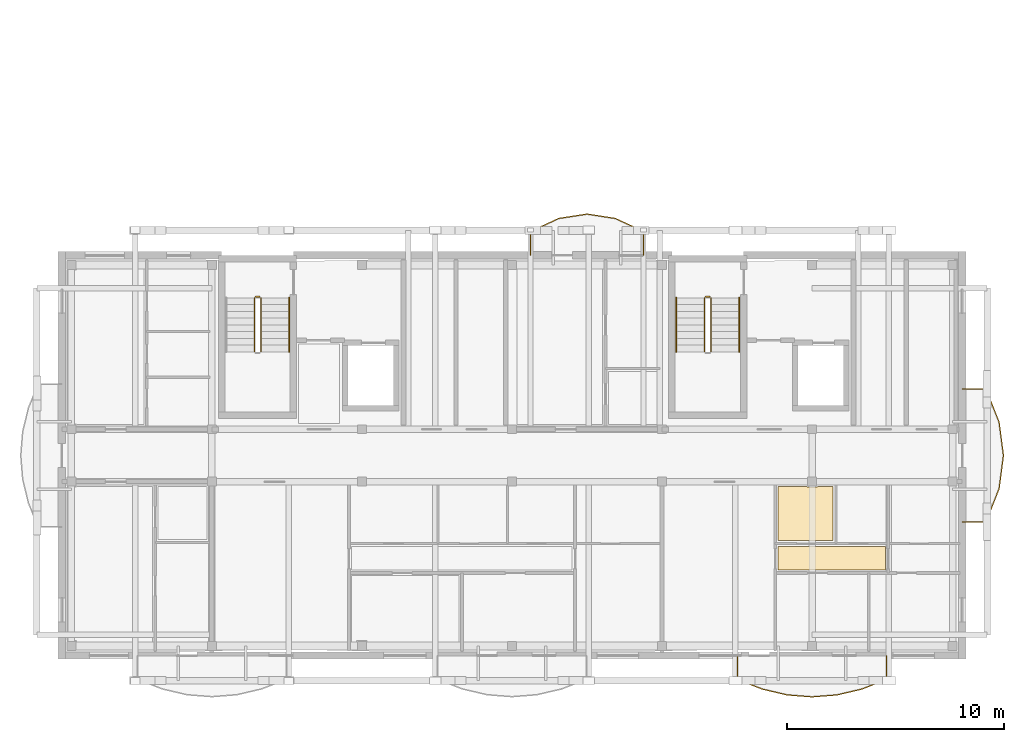
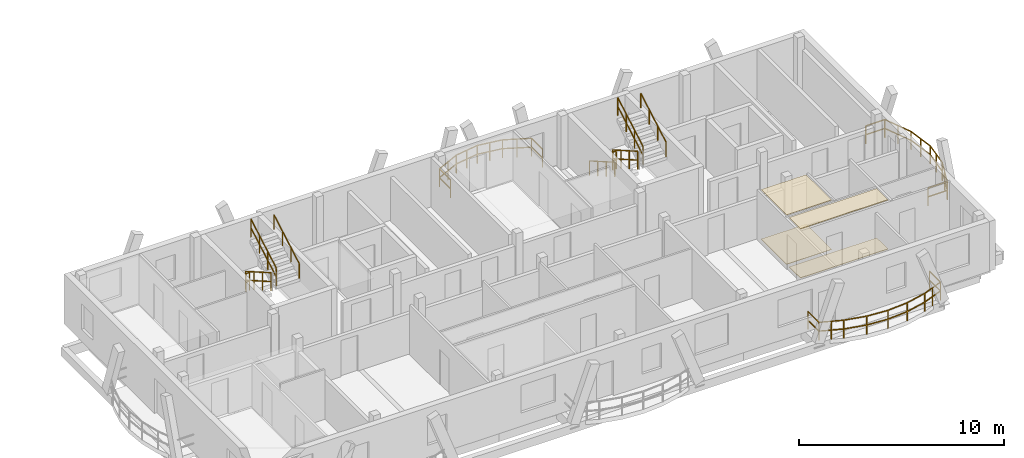
# One storey, part 9 of 10: 12 railings, 4 coverings.
"""IFC4 building model written with IfcOpenShell, lengths in metres."""

from ifc_helpers import new_model, si_unit, direction, frame, origin, origin_2d, place, context, subcontext, project, spatial, polyline, rectangle, outline, extrude, material, layer, layer_set, type_object, element, save


model = new_model("IFC4")

# Units and contexts
model_context = context("Model", 3, precision=1e-05, world=origin(), true_north=direction((0.0, 1.0)))
body_context = subcontext(model_context, "Body", "Model", "MODEL_VIEW")
ifc_project = project(units=[si_unit("LENGTHUNIT", "METRE"), si_unit("AREAUNIT", "SQUARE_METRE"), si_unit("VOLUMEUNIT", "CUBIC_METRE"), si_unit("PLANEANGLEUNIT", "RADIAN"), si_unit("MASSUNIT", "GRAM", prefix="KILO")], contexts=[model_context])

# Site, building, storey
site_placement = place(None, origin())
site = spatial("IfcSite", under=ifc_project, at=site_placement, CompositionType="ELEMENT")
building_placement = place(site_placement, origin())
building = spatial("IfcBuilding", under=site, at=building_placement, Name="Zavelmont Quarter", CompositionType="ELEMENT")
storey_placement = place(building_placement, frame((0.0, 0.0, 43.199951171875)))
storey = spatial("IfcBuildingStorey", under=building, at=storey_placement, Name="L13", CompositionType="ELEMENT", Elevation=43.199951171875)

# Coverings
ifc_material_1 = material(Name="Perforated acoustic gypsum board")
ifc_layer_1 = layer(ifc_material_1, 0.02490234375)
ifc_layer_set_1 = layer_set([ifc_layer_1], Name="Perforated acoustic gypsum board")
covering_type_1 = type_object("IfcCoveringType", Name="CV-CL01", PredefinedType="CEILING", material=ifc_layer_set_1)
covering_1_placement = place(storey_placement, frame((0.0, 0.0, 2.945068359375)))
element("IfcCovering", 1, at=covering_1_placement, inside=storey, type_object=covering_type_1, Name="L13 Kitchen acoustic ceiling", PredefinedType="CEILING", context=body_context, shape_type="SweptSolid", body=[
    extrude(outline(polyline([(32.929931640625, 7.77001953125), (34.260009765625, 7.77001953125), (34.260009765625, 7.760009765625), (34.739990234375, 7.760009765625), (34.739990234375, 7.77001953125), (35.469970703125, 7.77001953125), (35.469970703125, 5.280029296875), (32.929931640625, 5.280029296875), (32.929931640625, 7.77001953125)])), origin(), (0.0, 0.0, 1.0), 0.02490234375),
])
ifc_material_2 = material(Name="Slatted European ash acoustic baffle ceiling")
ifc_layer_2 = layer(ifc_material_2, 0.0400390625)
ifc_layer_set_2 = layer_set([ifc_layer_2], Name="Slatted European ash acoustic baffle ceiling")
covering_type_2 = type_object("IfcCoveringType", Name="CV-CL02", PredefinedType="CEILING", material=ifc_layer_set_2)
covering_2_placement = place(storey_placement, frame((0.0, 0.0, 2.929931640625)))
element("IfcCovering", 2, at=covering_2_placement, inside=storey, type_object=covering_type_2, Name="L13 Apartment Hall acoustic ceiling", PredefinedType="CEILING", context=body_context, shape_type="SweptSolid", body=[
    extrude(outline(polyline([(32.929931640625, 5.02001953125), (37.8701171875, 5.02001953125), (37.8701171875, 3.929931640625), (32.929931640625, 3.929931640625), (32.929931640625, 5.02001953125)])), origin(), (0.0, 0.0, 1.0), 0.0400390625),
])
ifc_material_3 = material(Name="Engineered European oak parquet")
ifc_layer_3 = layer(ifc_material_3, 0.02197265625)
ifc_layer_set_3 = layer_set([ifc_layer_3], Name="Engineered European oak parquet")
covering_type_3 = type_object("IfcCoveringType", Name="CV-FL01", PredefinedType="FLOORING", material=ifc_layer_set_3)
covering_3_placement = place(storey_placement, origin())
element("IfcCovering", 3, at=covering_3_placement, inside=storey, type_object=covering_type_3, Name="L13 Kitchen floor finish", PredefinedType="FLOORING", context=body_context, shape_type="SweptSolid", body=[
    extrude(outline(polyline([(32.929931640625, 7.77001953125), (34.260009765625, 7.77001953125), (34.260009765625, 7.760009765625), (34.739990234375, 7.760009765625), (34.739990234375, 7.77001953125), (35.469970703125, 7.77001953125), (35.469970703125, 5.280029296875), (32.929931640625, 5.280029296875), (32.929931640625, 7.77001953125)])), origin(), (0.0, 0.0, 1.0), 0.02197265625),
])
ifc_material_4 = material(Name="Honed Belgian bluestone tile", Category="masonry")
ifc_layer_4 = layer(ifc_material_4, 0.030029296875)
ifc_layer_set_4 = layer_set([ifc_layer_4], Name="Honed Belgian bluestone tile")
covering_type_4 = type_object("IfcCoveringType", Name="CV-FL02", PredefinedType="FLOORING", material=ifc_layer_set_4)
covering_4_placement = place(storey_placement, origin())
element("IfcCovering", 4, at=covering_4_placement, inside=storey, type_object=covering_type_4, Name="L13 Apartment Hall floor finish", PredefinedType="FLOORING", context=body_context, shape_type="SweptSolid", body=[
    extrude(outline(polyline([(32.929931640625, 5.02001953125), (37.8701171875, 5.02001953125), (37.8701171875, 3.929931640625), (32.929931640625, 3.929931640625), (32.929931640625, 5.02001953125)])), origin(), (0.0, 0.0, 1.0), 0.030029296875),
])

# Railings
ifc_material_5 = material(Name="Powder-coated steel and tempered double safety glass", Category="steel")
railing_type_1 = type_object("IfcRailingType", Name="RL-BAL1", PredefinedType="BALUSTRADE", material=ifc_material_5)
railing_1_placement = place(storey_placement, frame((31.071044921875, -0.02001953125, 0.0)))
element("IfcRailing", 5, at=railing_1_placement, inside=storey, type_object=railing_type_1, Name="L13 Block A curved balcony guard RL-BAL1", PredefinedType="BALUSTRADE", context=body_context, shape_type="SweptSolid", body=[
    extrude(rectangle(XDim=0.048095703125, YDim=0.048095703125, at=origin_2d()), frame((0.0, 0.0, 1.076171875), z_axis=(0.0, -1.0, 0.0), x_axis=(1.0, 0.0, 0.0)), (0.0, 0.0, 1.0), 1.080078125),
    extrude(rectangle(XDim=0.048095703125, YDim=0.048095703125, at=origin_2d()), frame((0.0, 0.0, 0.550048828125), z_axis=(0.0, -1.0, 0.0), x_axis=(1.0, 0.0, 0.0)), (0.0, 0.0, 1.0), 1.080078125),
    extrude(rectangle(XDim=0.048095703125, YDim=0.048095703125, at=origin_2d()), frame((0.0, -1.080078125, 1.076171875), z_axis=(0.931720556575, -0.363175996529, 0.0), x_axis=(0.363175996529, 0.931720556575, 0.0)), (0.0, 0.0, 1.0), 1.226806640625),
    extrude(rectangle(XDim=0.048095703125, YDim=0.048095703125, at=origin_2d()), frame((0.0, -1.080078125, 0.550048828125), z_axis=(0.931720556575, -0.363175996529, 0.0), x_axis=(0.363175996529, 0.931720556575, 0.0)), (0.0, 0.0, 1.0), 1.226806640625),
    extrude(rectangle(XDim=0.048095703125, YDim=0.048095703125, at=origin_2d()), frame((1.14306640625, -1.525634765625, 1.076171875), z_axis=(0.973713705738, -0.227775370174, 0.0), x_axis=(0.227775370174, 0.973713705738, 0.0)), (0.0, 0.0, 1.0), 1.173583984375),
    extrude(rectangle(XDim=0.048095703125, YDim=0.048095703125, at=origin_2d()), frame((1.14306640625, -1.525634765625, 0.550048828125), z_axis=(0.973713705738, -0.227775370174, 0.0), x_axis=(0.227775370174, 0.973713705738, 0.0)), (0.0, 0.0, 1.0), 1.173583984375),
    extrude(rectangle(XDim=0.048095703125, YDim=0.048095703125, at=origin_2d()), frame((2.285888671875, -1.79296875, 1.076171875), z_axis=(0.996975045489, -0.077722317728, 0.0), x_axis=(0.077722317728, 0.996975045489, 0.0)), (0.0, 0.0, 1.0), 1.146484375),
    extrude(rectangle(XDim=0.048095703125, YDim=0.048095703125, at=origin_2d()), frame((2.285888671875, -1.79296875, 0.550048828125), z_axis=(0.996975045489, -0.077722317728, 0.0), x_axis=(0.077722317728, 0.996975045489, 0.0)), (0.0, 0.0, 1.0), 1.146484375),
    extrude(rectangle(XDim=0.048095703125, YDim=0.048095703125, at=origin_2d()), frame((3.428955078125, -1.882080078125, 1.076171875), z_axis=(0.996975045489, 0.077722317728, 0.0), x_axis=(-0.077722317728, 0.996975045489, 0.0)), (0.0, 0.0, 1.0), 1.146484375),
    extrude(rectangle(XDim=0.048095703125, YDim=0.048095703125, at=origin_2d()), frame((3.428955078125, -1.882080078125, 0.550048828125), z_axis=(0.996975045489, 0.077722317728, 0.0), x_axis=(-0.077722317728, 0.996975045489, 0.0)), (0.0, 0.0, 1.0), 1.146484375),
    extrude(rectangle(XDim=0.048095703125, YDim=0.048095703125, at=origin_2d()), frame((4.572021484375, -1.79296875, 1.076171875), z_axis=(0.973713705738, 0.227775370174, 0.0), x_axis=(-0.227775370174, 0.973713705738, 0.0)), (0.0, 0.0, 1.0), 1.173583984375),
    extrude(rectangle(XDim=0.048095703125, YDim=0.048095703125, at=origin_2d()), frame((4.572021484375, -1.79296875, 0.550048828125), z_axis=(0.973713705738, 0.227775370174, 0.0), x_axis=(-0.227775370174, 0.973713705738, 0.0)), (0.0, 0.0, 1.0), 1.173583984375),
    extrude(rectangle(XDim=0.048095703125, YDim=0.048095703125, at=origin_2d()), frame((5.71484375, -1.525634765625, 1.076171875), z_axis=(0.931720556575, 0.363175996529, 0.0), x_axis=(-0.363175996529, 0.931720556575, 0.0)), (0.0, 0.0, 1.0), 1.226806640625),
    extrude(rectangle(XDim=0.048095703125, YDim=0.048095703125, at=origin_2d()), frame((5.71484375, -1.525634765625, 0.550048828125), z_axis=(0.931720556575, 0.363175996529, 0.0), x_axis=(-0.363175996529, 0.931720556575, 0.0)), (0.0, 0.0, 1.0), 1.226806640625),
    extrude(rectangle(XDim=0.048095703125, YDim=0.048095703125, at=origin_2d()), frame((6.85791015625, -1.080078125, 1.076171875), z_axis=(0.0, 1.0, 0.0), x_axis=(-1.0, 0.0, 0.0)), (0.0, 0.0, 1.0), 1.080078125),
    extrude(rectangle(XDim=0.048095703125, YDim=0.048095703125, at=origin_2d()), frame((6.85791015625, -1.080078125, 0.550048828125), z_axis=(0.0, 1.0, 0.0), x_axis=(-1.0, 0.0, 0.0)), (0.0, 0.0, 1.0), 1.080078125),
    extrude(rectangle(XDim=0.0419921875, YDim=0.0419921875, at=origin_2d()), origin(), (0.0, 0.0, 1.0), 1.052001953125),
    extrude(rectangle(XDim=0.0419921875, YDim=0.0419921875, at=origin_2d()), frame((0.0, -1.080078125, 0.0)), (0.0, 0.0, 1.0), 1.052001953125),
    extrude(rectangle(XDim=0.0419921875, YDim=0.0419921875, at=origin_2d()), frame((0.571533203125, -1.302734375, 0.0)), (0.0, 0.0, 1.0), 1.052001953125),
    extrude(rectangle(XDim=0.0419921875, YDim=0.0419921875, at=origin_2d()), frame((1.14306640625, -1.525634765625, 0.0)), (0.0, 0.0, 1.0), 1.052001953125),
    extrude(rectangle(XDim=0.0419921875, YDim=0.0419921875, at=origin_2d()), frame((2.285888671875, -1.79296875, 0.0)), (0.0, 0.0, 1.0), 1.052001953125),
    extrude(rectangle(XDim=0.0419921875, YDim=0.0419921875, at=origin_2d()), frame((3.428955078125, -1.882080078125, 0.0)), (0.0, 0.0, 1.0), 1.052001953125),
    extrude(rectangle(XDim=0.0419921875, YDim=0.0419921875, at=origin_2d()), frame((4.572021484375, -1.79296875, 0.0)), (0.0, 0.0, 1.0), 1.052001953125),
    extrude(rectangle(XDim=0.0419921875, YDim=0.0419921875, at=origin_2d()), frame((5.71484375, -1.525634765625, 0.0)), (0.0, 0.0, 1.0), 1.052001953125),
    extrude(rectangle(XDim=0.0419921875, YDim=0.0419921875, at=origin_2d()), frame((6.286376953125, -1.302734375, 0.0)), (0.0, 0.0, 1.0), 1.052001953125),
    extrude(rectangle(XDim=0.0419921875, YDim=0.0419921875, at=origin_2d()), frame((6.85791015625, -1.080078125, 0.0)), (0.0, 0.0, 1.0), 1.052001953125),
    extrude(rectangle(XDim=0.0419921875, YDim=0.0419921875, at=origin_2d()), frame((6.85791015625, 0.0, 0.0)), (0.0, 0.0, 1.0), 1.052001953125),
])
railing_2_placement = place(storey_placement, frame((41.419921875, 6.148193359375, 0.0)))
element("IfcRailing", 6, at=railing_2_placement, inside=storey, type_object=railing_type_1, Name="L13 Block A curved balcony guard RL-BAL1", PredefinedType="BALUSTRADE", context=body_context, shape_type="SweptSolid", body=[
    extrude(rectangle(XDim=0.048095703125, YDim=0.048095703125, at=origin_2d()), frame((0.0, 0.0, 1.076171875), z_axis=(1.0, 0.0, 0.0), x_axis=(0.0, 1.0, 0.0)), (0.0, 0.0, 1.0), 1.080078125),
    extrude(rectangle(XDim=0.048095703125, YDim=0.048095703125, at=origin_2d()), frame((0.0, 0.0, 0.550048828125), z_axis=(1.0, 0.0, 0.0), x_axis=(0.0, 1.0, 0.0)), (0.0, 0.0, 1.0), 1.080078125),
    extrude(rectangle(XDim=0.048095703125, YDim=0.048095703125, at=origin_2d()), frame((1.080078125, 0.0, 1.076171875), z_axis=(0.366766594418, 0.930312993147, 0.0), x_axis=(-0.930312993147, 0.366766594418, 0.0)), (0.0, 0.0, 1.0), 1.64013671875),
    extrude(rectangle(XDim=0.048095703125, YDim=0.048095703125, at=origin_2d()), frame((1.080078125, 0.0, 0.550048828125), z_axis=(0.366766594418, 0.930312993147, 0.0), x_axis=(-0.930312993147, 0.366766594418, 0.0)), (0.0, 0.0, 1.0), 1.64013671875),
    extrude(rectangle(XDim=0.048095703125, YDim=0.048095703125, at=origin_2d()), frame((1.681640625, 1.52587890625, 1.076171875), z_axis=(0.13024112149, 0.991482349955, 0.0), x_axis=(-0.991482349955, 0.13024112149, 0.0)), (0.0, 0.0, 1.0), 1.5390625),
    extrude(rectangle(XDim=0.048095703125, YDim=0.048095703125, at=origin_2d()), frame((1.681640625, 1.52587890625, 0.550048828125), z_axis=(0.13024112149, 0.991482349955, 0.0), x_axis=(-0.991482349955, 0.13024112149, 0.0)), (0.0, 0.0, 1.0), 1.5390625),
    extrude(rectangle(XDim=0.048095703125, YDim=0.048095703125, at=origin_2d()), frame((1.882080078125, 3.0517578125, 1.076171875), z_axis=(-0.13024112149, 0.991482349955, 0.0), x_axis=(-0.991482349955, -0.13024112149, 0.0)), (0.0, 0.0, 1.0), 1.5390625),
    extrude(rectangle(XDim=0.048095703125, YDim=0.048095703125, at=origin_2d()), frame((1.882080078125, 3.0517578125, 0.550048828125), z_axis=(-0.13024112149, 0.991482349955, 0.0), x_axis=(-0.991482349955, -0.13024112149, 0.0)), (0.0, 0.0, 1.0), 1.5390625),
    extrude(rectangle(XDim=0.048095703125, YDim=0.048095703125, at=origin_2d()), frame((1.681640625, 4.57763671875, 1.076171875), z_axis=(-0.366766594418, 0.930312993147, 0.0), x_axis=(-0.930312993147, -0.366766594418, 0.0)), (0.0, 0.0, 1.0), 1.64013671875),
    extrude(rectangle(XDim=0.048095703125, YDim=0.048095703125, at=origin_2d()), frame((1.681640625, 4.57763671875, 0.550048828125), z_axis=(-0.366766594418, 0.930312993147, 0.0), x_axis=(-0.930312993147, -0.366766594418, 0.0)), (0.0, 0.0, 1.0), 1.64013671875),
    extrude(rectangle(XDim=0.048095703125, YDim=0.048095703125, at=origin_2d()), frame((1.080078125, 6.103515625, 1.076171875), z_axis=(-1.0, 0.0, 0.0), x_axis=(0.0, -1.0, 0.0)), (0.0, 0.0, 1.0), 1.080078125),
    extrude(rectangle(XDim=0.048095703125, YDim=0.048095703125, at=origin_2d()), frame((1.080078125, 6.103515625, 0.550048828125), z_axis=(-1.0, 0.0, 0.0), x_axis=(0.0, -1.0, 0.0)), (0.0, 0.0, 1.0), 1.080078125),
    extrude(rectangle(XDim=0.0419921875, YDim=0.0419921875, at=origin_2d()), origin(), (0.0, 0.0, 1.0), 1.052001953125),
    extrude(rectangle(XDim=0.0419921875, YDim=0.0419921875, at=origin_2d()), frame((1.080078125, 0.0, 0.0)), (0.0, 0.0, 1.0), 1.052001953125),
    extrude(rectangle(XDim=0.0419921875, YDim=0.0419921875, at=origin_2d()), frame((1.380859375, 0.762939453125, 0.0)), (0.0, 0.0, 1.0), 1.052001953125),
    extrude(rectangle(XDim=0.0419921875, YDim=0.0419921875, at=origin_2d()), frame((1.681640625, 1.52587890625, 0.0)), (0.0, 0.0, 1.0), 1.052001953125),
    extrude(rectangle(XDim=0.0419921875, YDim=0.0419921875, at=origin_2d()), frame((1.78173828125, 2.288818359375, 0.0)), (0.0, 0.0, 1.0), 1.052001953125),
    extrude(rectangle(XDim=0.0419921875, YDim=0.0419921875, at=origin_2d()), frame((1.882080078125, 3.0517578125, 0.0)), (0.0, 0.0, 1.0), 1.052001953125),
    extrude(rectangle(XDim=0.0419921875, YDim=0.0419921875, at=origin_2d()), frame((1.78173828125, 3.814697265625, 0.0)), (0.0, 0.0, 1.0), 1.052001953125),
    extrude(rectangle(XDim=0.0419921875, YDim=0.0419921875, at=origin_2d()), frame((1.681640625, 4.57763671875, 0.0)), (0.0, 0.0, 1.0), 1.052001953125),
    extrude(rectangle(XDim=0.0419921875, YDim=0.0419921875, at=origin_2d()), frame((1.380859375, 5.340576171875, 0.0)), (0.0, 0.0, 1.0), 1.052001953125),
    extrude(rectangle(XDim=0.0419921875, YDim=0.0419921875, at=origin_2d()), frame((1.080078125, 6.103515625, 0.0)), (0.0, 0.0, 1.0), 1.052001953125),
    extrude(rectangle(XDim=0.0419921875, YDim=0.0419921875, at=origin_2d()), frame((0.0, 6.103515625, 0.0)), (0.0, 0.0, 1.0), 1.052001953125),
])
railing_3_placement = place(storey_placement, frame((26.748046875, 18.419921875, 0.0)))
element("IfcRailing", 7, at=railing_3_placement, inside=storey, type_object=railing_type_1, Name="L13 Block A curved balcony guard RL-BAL1", PredefinedType="BALUSTRADE", context=body_context, shape_type="SweptSolid", body=[
    extrude(rectangle(XDim=0.048095703125, YDim=0.048095703125, at=origin_2d()), frame((0.0, 0.0, 1.076171875), z_axis=(0.0, 1.0, 0.0), x_axis=(-1.0, 0.0, 0.0)), (0.0, 0.0, 1.0), 1.080078125),
    extrude(rectangle(XDim=0.048095703125, YDim=0.048095703125, at=origin_2d()), frame((0.0, 0.0, 0.550048828125), z_axis=(0.0, 1.0, 0.0), x_axis=(-1.0, 0.0, 0.0)), (0.0, 0.0, 1.0), 1.080078125),
    extrude(rectangle(XDim=0.048095703125, YDim=0.048095703125, at=origin_2d()), frame((0.0, 1.080078125, 1.076171875), z_axis=(-0.907429578914, 0.420204187642, 0.0), x_axis=(-0.420204187642, -0.907429578914, 0.0)), (0.0, 0.0, 1.0), 1.431640625),
    extrude(rectangle(XDim=0.048095703125, YDim=0.048095703125, at=origin_2d()), frame((0.0, 1.080078125, 0.550048828125), z_axis=(-0.907429578914, 0.420204187642, 0.0), x_axis=(-0.420204187642, -0.907429578914, 0.0)), (0.0, 0.0, 1.0), 1.431640625),
    extrude(rectangle(XDim=0.048095703125, YDim=0.048095703125, at=origin_2d()), frame((-1.299072265625, 1.681640625, 1.076171875), z_axis=(-0.988305038346, 0.152489839594, 0.0), x_axis=(-0.152489839594, -0.988305038346, 0.0)), (0.0, 0.0, 1.0), 1.314453125),
    extrude(rectangle(XDim=0.048095703125, YDim=0.048095703125, at=origin_2d()), frame((-1.299072265625, 1.681640625, 0.550048828125), z_axis=(-0.988305038346, 0.152489839594, 0.0), x_axis=(-0.152489839594, -0.988305038346, 0.0)), (0.0, 0.0, 1.0), 1.314453125),
    extrude(rectangle(XDim=0.048095703125, YDim=0.048095703125, at=origin_2d()), frame((-2.59814453125, 1.882080078125, 1.076171875), z_axis=(-0.988300718193, -0.152517836398, 0.0), x_axis=(0.152517836398, -0.988300718193, 0.0)), (0.0, 0.0, 1.0), 1.314208984375),
    extrude(rectangle(XDim=0.048095703125, YDim=0.048095703125, at=origin_2d()), frame((-2.59814453125, 1.882080078125, 0.550048828125), z_axis=(-0.988300718193, -0.152517836398, 0.0), x_axis=(0.152517836398, -0.988300718193, 0.0)), (0.0, 0.0, 1.0), 1.314208984375),
    extrude(rectangle(XDim=0.048095703125, YDim=0.048095703125, at=origin_2d()), frame((-3.89697265625, 1.681640625, 1.076171875), z_axis=(-0.907429578914, -0.420204187642, 0.0), x_axis=(0.420204187642, -0.907429578914, 0.0)), (0.0, 0.0, 1.0), 1.431640625),
    extrude(rectangle(XDim=0.048095703125, YDim=0.048095703125, at=origin_2d()), frame((-3.89697265625, 1.681640625, 0.550048828125), z_axis=(-0.907429578914, -0.420204187642, 0.0), x_axis=(0.420204187642, -0.907429578914, 0.0)), (0.0, 0.0, 1.0), 1.431640625),
    extrude(rectangle(XDim=0.048095703125, YDim=0.048095703125, at=origin_2d()), frame((-5.196044921875, 1.080078125, 1.076171875), z_axis=(0.0, -1.0, 0.0), x_axis=(1.0, 0.0, 0.0)), (0.0, 0.0, 1.0), 1.080078125),
    extrude(rectangle(XDim=0.048095703125, YDim=0.048095703125, at=origin_2d()), frame((-5.196044921875, 1.080078125, 0.550048828125), z_axis=(0.0, -1.0, 0.0), x_axis=(1.0, 0.0, 0.0)), (0.0, 0.0, 1.0), 1.080078125),
    extrude(rectangle(XDim=0.0419921875, YDim=0.0419921875, at=origin_2d()), origin(), (0.0, 0.0, 1.0), 1.052001953125),
    extrude(rectangle(XDim=0.0419921875, YDim=0.0419921875, at=origin_2d()), frame((0.0, 1.080078125, 0.0)), (0.0, 0.0, 1.0), 1.052001953125),
    extrude(rectangle(XDim=0.0419921875, YDim=0.0419921875, at=origin_2d()), frame((-0.6494140625, 1.380859375, 0.0)), (0.0, 0.0, 1.0), 1.052001953125),
    extrude(rectangle(XDim=0.0419921875, YDim=0.0419921875, at=origin_2d()), frame((-1.299072265625, 1.681640625, 0.0)), (0.0, 0.0, 1.0), 1.052001953125),
    extrude(rectangle(XDim=0.0419921875, YDim=0.0419921875, at=origin_2d()), frame((-1.94873046875, 1.78173828125, 0.0)), (0.0, 0.0, 1.0), 1.052001953125),
    extrude(rectangle(XDim=0.0419921875, YDim=0.0419921875, at=origin_2d()), frame((-2.59814453125, 1.882080078125, 0.0)), (0.0, 0.0, 1.0), 1.052001953125),
    extrude(rectangle(XDim=0.0419921875, YDim=0.0419921875, at=origin_2d()), frame((-3.24755859375, 1.78173828125, 0.0)), (0.0, 0.0, 1.0), 1.052001953125),
    extrude(rectangle(XDim=0.0419921875, YDim=0.0419921875, at=origin_2d()), frame((-3.89697265625, 1.681640625, 0.0)), (0.0, 0.0, 1.0), 1.052001953125),
    extrude(rectangle(XDim=0.0419921875, YDim=0.0419921875, at=origin_2d()), frame((-4.54638671875, 1.380859375, 0.0)), (0.0, 0.0, 1.0), 1.052001953125),
    extrude(rectangle(XDim=0.0419921875, YDim=0.0419921875, at=origin_2d()), frame((-5.196044921875, 1.080078125, 0.0)), (0.0, 0.0, 1.0), 1.052001953125),
    extrude(rectangle(XDim=0.0419921875, YDim=0.0419921875, at=origin_2d()), frame((-5.196044921875, 0.0, 0.0)), (0.0, 0.0, 1.0), 1.052001953125),
])
ifc_material_6 = material(Name="Powder-coated steel stair guardrail", Category="steel")
railing_type_2 = type_object("IfcRailingType", Name="RL-GRD1", PredefinedType="GUARDRAIL", material=ifc_material_6)
railing_4_placement = place(storey_placement, frame((8.85009765625, 16.449951171875, 0.177734375)))
element("IfcRailing", 8, at=railing_4_placement, inside=storey, type_object=railing_type_2, Name="L13 ST01 stair guardrail 1", PredefinedType="GUARDRAIL", context=body_context, shape_type="SweptSolid", body=[
    extrude(rectangle(XDim=0.048095703125, YDim=0.048095703125, at=origin_2d()), frame((0.0, 0.0, 1.076171875), z_axis=(0.0, -0.867453774394, 0.497517787913), x_axis=(1.0, 0.0, 0.0)), (0.0, 0.0, 1.0), 2.85888671875),
    extrude(rectangle(XDim=0.048095703125, YDim=0.048095703125, at=origin_2d()), frame((0.0, 0.0, 0.550048828125), z_axis=(0.0, -0.867453774394, 0.497517787913), x_axis=(1.0, 0.0, 0.0)), (0.0, 0.0, 1.0), 2.85888671875),
    extrude(rectangle(XDim=0.0419921875, YDim=0.0419921875, at=origin_2d()), origin(), (0.0, 0.0, 1.0), 1.052001953125),
    extrude(rectangle(XDim=0.0419921875, YDim=0.0419921875, at=origin_2d()), frame((0.0, -0.82666015625, 0.47412109375)), (0.0, 0.0, 1.0), 1.052001953125),
    extrude(rectangle(XDim=0.0419921875, YDim=0.0419921875, at=origin_2d()), frame((0.0, -1.6533203125, 0.9482421875)), (0.0, 0.0, 1.0), 1.052001953125),
    extrude(rectangle(XDim=0.0419921875, YDim=0.0419921875, at=origin_2d()), frame((0.0, -2.47998046875, 1.42236328125)), (0.0, 0.0, 1.0), 1.052001953125),
])
railing_5_placement = place(storey_placement, frame((9.14990234375, 13.969970703125, 1.77783203125)))
element("IfcRailing", 9, at=railing_5_placement, inside=storey, type_object=railing_type_2, Name="L13 ST01 stair guardrail 3", PredefinedType="GUARDRAIL", context=body_context, shape_type="SweptSolid", body=[
    extrude(rectangle(XDim=0.048095703125, YDim=0.048095703125, at=origin_2d()), frame((0.0, 0.0, 1.076171875), z_axis=(0.0, 0.867490628297, 0.497453525283), x_axis=(-1.0, 0.0, 0.0)), (0.0, 0.0, 1.0), 2.85888671875),
    extrude(rectangle(XDim=0.048095703125, YDim=0.048095703125, at=origin_2d()), frame((0.0, 0.0, 0.550048828125), z_axis=(0.0, 0.867490628297, 0.497453525283), x_axis=(-1.0, 0.0, 0.0)), (0.0, 0.0, 1.0), 2.85888671875),
    extrude(rectangle(XDim=0.0419921875, YDim=0.0419921875, at=origin_2d()), origin(), (0.0, 0.0, 1.0), 1.052001953125),
    extrude(rectangle(XDim=0.0419921875, YDim=0.0419921875, at=origin_2d()), frame((0.0, 0.82666015625, 0.47412109375)), (0.0, 0.0, 1.0), 1.052001953125),
    extrude(rectangle(XDim=0.0419921875, YDim=0.0419921875, at=origin_2d()), frame((0.0, 1.6533203125, 0.947998046875)), (0.0, 0.0, 1.0), 1.052001953125),
    extrude(rectangle(XDim=0.0419921875, YDim=0.0419921875, at=origin_2d()), frame((0.0, 2.47998046875, 1.422119140625)), (0.0, 0.0, 1.0), 1.052001953125),
])
railing_6_placement = place(storey_placement, frame((8.89990234375, 16.5, 0.0)))
element("IfcRailing", 10, at=railing_6_placement, inside=storey, type_object=railing_type_2, Name="L13 ST01 stair guardrail 4", PredefinedType="GUARDRAIL", context=body_context, shape_type="SweptSolid", body=[
    extrude(rectangle(XDim=0.048095703125, YDim=0.048095703125, at=origin_2d()), frame((0.0, 0.0, 1.076171875), z_axis=(1.0, 0.0, 0.0), x_axis=(0.0, 1.0, 0.0)), (0.0, 0.0, 1.0), 0.2001953125),
    extrude(rectangle(XDim=0.048095703125, YDim=0.048095703125, at=origin_2d()), frame((0.0, 0.0, 0.550048828125), z_axis=(1.0, 0.0, 0.0), x_axis=(0.0, 1.0, 0.0)), (0.0, 0.0, 1.0), 0.2001953125),
    extrude(rectangle(XDim=0.0419921875, YDim=0.0419921875, at=origin_2d()), origin(), (0.0, 0.0, 1.0), 1.052001953125),
    extrude(rectangle(XDim=0.0419921875, YDim=0.0419921875, at=origin_2d()), frame((0.2001953125, 0.0, 0.0)), (0.0, 0.0, 1.0), 1.052001953125),
])
railing_7_placement = place(storey_placement, frame((29.550048828125, 16.449951171875, 0.177734375)))
element("IfcRailing", 11, at=railing_7_placement, inside=storey, type_object=railing_type_2, Name="L13 ST02 stair guardrail 1", PredefinedType="GUARDRAIL", context=body_context, shape_type="SweptSolid", body=[
    extrude(rectangle(XDim=0.048095703125, YDim=0.048095703125, at=origin_2d()), frame((0.0, 0.0, 1.076171875), z_axis=(0.0, -0.867453774394, 0.497517787913), x_axis=(1.0, 0.0, 0.0)), (0.0, 0.0, 1.0), 2.85888671875),
    extrude(rectangle(XDim=0.048095703125, YDim=0.048095703125, at=origin_2d()), frame((0.0, 0.0, 0.550048828125), z_axis=(0.0, -0.867453774394, 0.497517787913), x_axis=(1.0, 0.0, 0.0)), (0.0, 0.0, 1.0), 2.85888671875),
    extrude(rectangle(XDim=0.0419921875, YDim=0.0419921875, at=origin_2d()), origin(), (0.0, 0.0, 1.0), 1.052001953125),
    extrude(rectangle(XDim=0.0419921875, YDim=0.0419921875, at=origin_2d()), frame((0.0, -0.82666015625, 0.47412109375)), (0.0, 0.0, 1.0), 1.052001953125),
    extrude(rectangle(XDim=0.0419921875, YDim=0.0419921875, at=origin_2d()), frame((0.0, -1.6533203125, 0.9482421875)), (0.0, 0.0, 1.0), 1.052001953125),
    extrude(rectangle(XDim=0.0419921875, YDim=0.0419921875, at=origin_2d()), frame((0.0, -2.47998046875, 1.42236328125)), (0.0, 0.0, 1.0), 1.052001953125),
])
railing_8_placement = place(storey_placement, frame((29.85009765625, 13.969970703125, 1.77783203125)))
element("IfcRailing", 12, at=railing_8_placement, inside=storey, type_object=railing_type_2, Name="L13 ST02 stair guardrail 3", PredefinedType="GUARDRAIL", context=body_context, shape_type="SweptSolid", body=[
    extrude(rectangle(XDim=0.048095703125, YDim=0.048095703125, at=origin_2d()), frame((0.0, 0.0, 1.076171875), z_axis=(0.0, 0.867490628297, 0.497453525283), x_axis=(-1.0, 0.0, 0.0)), (0.0, 0.0, 1.0), 2.85888671875),
    extrude(rectangle(XDim=0.048095703125, YDim=0.048095703125, at=origin_2d()), frame((0.0, 0.0, 0.550048828125), z_axis=(0.0, 0.867490628297, 0.497453525283), x_axis=(-1.0, 0.0, 0.0)), (0.0, 0.0, 1.0), 2.85888671875),
    extrude(rectangle(XDim=0.0419921875, YDim=0.0419921875, at=origin_2d()), origin(), (0.0, 0.0, 1.0), 1.052001953125),
    extrude(rectangle(XDim=0.0419921875, YDim=0.0419921875, at=origin_2d()), frame((0.0, 0.82666015625, 0.47412109375)), (0.0, 0.0, 1.0), 1.052001953125),
    extrude(rectangle(XDim=0.0419921875, YDim=0.0419921875, at=origin_2d()), frame((0.0, 1.6533203125, 0.947998046875)), (0.0, 0.0, 1.0), 1.052001953125),
    extrude(rectangle(XDim=0.0419921875, YDim=0.0419921875, at=origin_2d()), frame((0.0, 2.47998046875, 1.422119140625)), (0.0, 0.0, 1.0), 1.052001953125),
])
railing_9_placement = place(storey_placement, frame((29.60009765625, 16.5, 0.0)))
element("IfcRailing", 13, at=railing_9_placement, inside=storey, type_object=railing_type_2, Name="L13 ST02 stair guardrail 4", PredefinedType="GUARDRAIL", context=body_context, shape_type="SweptSolid", body=[
    extrude(rectangle(XDim=0.048095703125, YDim=0.048095703125, at=origin_2d()), frame((0.0, 0.0, 1.076171875), z_axis=(1.0, 0.0, 0.0), x_axis=(0.0, 1.0, 0.0)), (0.0, 0.0, 1.0), 0.199951171875),
    extrude(rectangle(XDim=0.048095703125, YDim=0.048095703125, at=origin_2d()), frame((0.0, 0.0, 0.550048828125), z_axis=(1.0, 0.0, 0.0), x_axis=(0.0, 1.0, 0.0)), (0.0, 0.0, 1.0), 0.199951171875),
    extrude(rectangle(XDim=0.0419921875, YDim=0.0419921875, at=origin_2d()), origin(), (0.0, 0.0, 1.0), 1.052001953125),
    extrude(rectangle(XDim=0.0419921875, YDim=0.0419921875, at=origin_2d()), frame((0.199951171875, 0.0, 0.0)), (0.0, 0.0, 1.0), 1.052001953125),
])
ifc_material_7 = material(Name="Brushed stainless-steel wall handrail", Category="steel")
railing_type_3 = type_object("IfcRailingType", Name="RL-HND1", PredefinedType="HANDRAIL", material=ifc_material_7)
railing_10_placement = place(storey_placement, frame((10.449951171875, 13.969970703125, 1.77783203125)))
element("IfcRailing", 14, at=railing_10_placement, inside=storey, type_object=railing_type_3, Name="L13 ST01 stair handrail 2", PredefinedType="HANDRAIL", context=body_context, shape_type="SweptSolid", body=[
    extrude(rectangle(XDim=0.048095703125, YDim=0.048095703125, at=origin_2d()), frame((0.0, 0.0, 0.8759765625), z_axis=(0.0, 0.867490628297, 0.497453525283), x_axis=(-1.0, 0.0, 0.0)), (0.0, 0.0, 1.0), 2.85888671875),
    extrude(rectangle(XDim=0.0419921875, YDim=0.0419921875, at=origin_2d()), origin(), (0.0, 0.0, 1.0), 0.851806640625),
    extrude(rectangle(XDim=0.0419921875, YDim=0.0419921875, at=origin_2d()), frame((0.0, 0.82666015625, 0.47412109375)), (0.0, 0.0, 1.0), 0.851806640625),
    extrude(rectangle(XDim=0.0419921875, YDim=0.0419921875, at=origin_2d()), frame((0.0, 1.6533203125, 0.947998046875)), (0.0, 0.0, 1.0), 0.851806640625),
    extrude(rectangle(XDim=0.0419921875, YDim=0.0419921875, at=origin_2d()), frame((0.0, 2.47998046875, 1.422119140625)), (0.0, 0.0, 1.0), 0.851806640625),
])
railing_11_placement = place(storey_placement, frame((28.25, 16.449951171875, 0.177734375)))
element("IfcRailing", 15, at=railing_11_placement, inside=storey, type_object=railing_type_3, Name="L13 ST02 stair handrail 1", PredefinedType="HANDRAIL", context=body_context, shape_type="SweptSolid", body=[
    extrude(rectangle(XDim=0.048095703125, YDim=0.048095703125, at=origin_2d()), frame((0.0, 0.0, 0.8759765625), z_axis=(0.0, -0.867453774394, 0.497517787913), x_axis=(1.0, 0.0, 0.0)), (0.0, 0.0, 1.0), 2.85888671875),
    extrude(rectangle(XDim=0.0419921875, YDim=0.0419921875, at=origin_2d()), origin(), (0.0, 0.0, 1.0), 0.851806640625),
    extrude(rectangle(XDim=0.0419921875, YDim=0.0419921875, at=origin_2d()), frame((0.0, -0.82666015625, 0.47412109375)), (0.0, 0.0, 1.0), 0.851806640625),
    extrude(rectangle(XDim=0.0419921875, YDim=0.0419921875, at=origin_2d()), frame((0.0, -1.6533203125, 0.9482421875)), (0.0, 0.0, 1.0), 0.851806640625),
    extrude(rectangle(XDim=0.0419921875, YDim=0.0419921875, at=origin_2d()), frame((0.0, -2.47998046875, 1.42236328125)), (0.0, 0.0, 1.0), 0.851806640625),
])
railing_12_placement = place(storey_placement, frame((31.14990234375, 13.969970703125, 1.77783203125)))
element("IfcRailing", 16, at=railing_12_placement, inside=storey, type_object=railing_type_3, Name="L13 ST02 stair handrail 2", PredefinedType="HANDRAIL", context=body_context, shape_type="SweptSolid", body=[
    extrude(rectangle(XDim=0.048095703125, YDim=0.048095703125, at=origin_2d()), frame((0.0, 0.0, 0.8759765625), z_axis=(0.0, 0.867490628297, 0.497453525283), x_axis=(-1.0, 0.0, 0.0)), (0.0, 0.0, 1.0), 2.85888671875),
    extrude(rectangle(XDim=0.0419921875, YDim=0.0419921875, at=origin_2d()), origin(), (0.0, 0.0, 1.0), 0.851806640625),
    extrude(rectangle(XDim=0.0419921875, YDim=0.0419921875, at=origin_2d()), frame((0.0, 0.82666015625, 0.47412109375)), (0.0, 0.0, 1.0), 0.851806640625),
    extrude(rectangle(XDim=0.0419921875, YDim=0.0419921875, at=origin_2d()), frame((0.0, 1.6533203125, 0.947998046875)), (0.0, 0.0, 1.0), 0.851806640625),
    extrude(rectangle(XDim=0.0419921875, YDim=0.0419921875, at=origin_2d()), frame((0.0, 2.47998046875, 1.422119140625)), (0.0, 0.0, 1.0), 0.851806640625),
])

save(model, "model.ifc")
